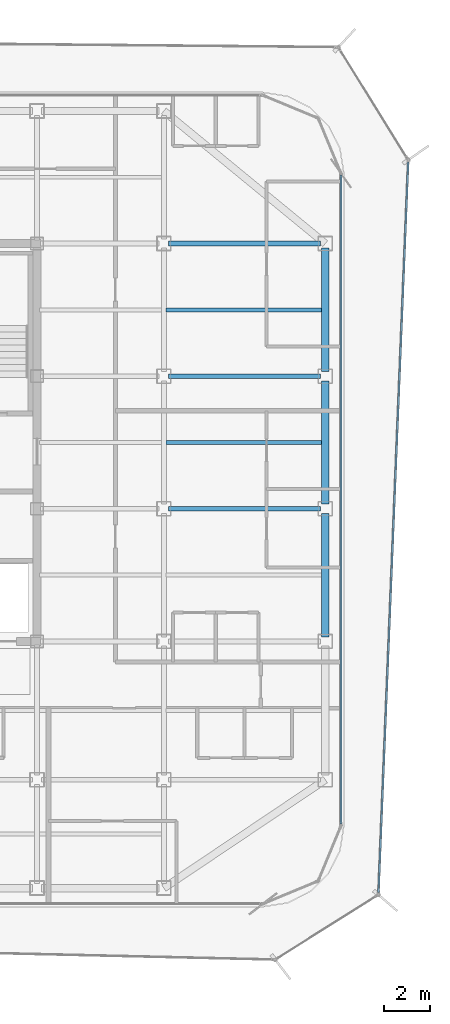
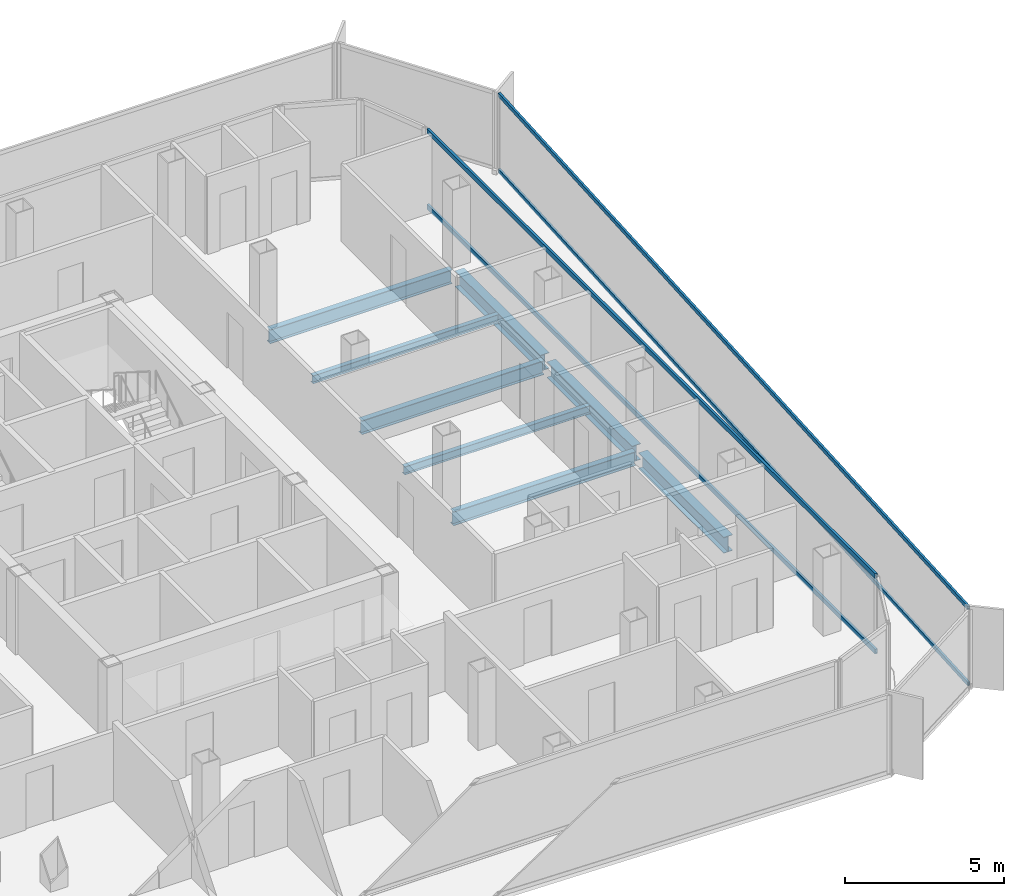
# One storey, part 5 of 15: 8 beams, 4 members, 2 elements without a shape of their own.
"""IFC4 building model written with IfcOpenShell, lengths in metres."""

from ifc_helpers import new_model, si_unit, direction, frame, origin, origin_2d, place, context, subcontext, project, spatial, hollow_rectangle, i_section, extrude, source, transform, mapped, material, layer, layer_set, material_profile, profile_set, type_object, element, aggregate, save


model = new_model("IFC4")

# Units and contexts
model_context = context("Model", 3, precision=1e-05, world=origin(), true_north=direction((0.0, 1.0)))
body_context = subcontext(model_context, "Body", "Model", "MODEL_VIEW")
ifc_project = project(units=[si_unit("LENGTHUNIT", "METRE"), si_unit("AREAUNIT", "SQUARE_METRE"), si_unit("VOLUMEUNIT", "CUBIC_METRE"), si_unit("PLANEANGLEUNIT", "RADIAN"), si_unit("MASSUNIT", "GRAM", prefix="KILO")], contexts=[model_context])

# Site, building, storey
site_placement = place(None, origin())
site = spatial("IfcSite", under=ifc_project, at=site_placement, CompositionType="ELEMENT")
building_placement = place(site_placement, origin())
building = spatial("IfcBuilding", under=site, at=building_placement, Name="Kolveth Station Tower", CompositionType="ELEMENT")
storey_placement = place(building_placement, frame((0.0, 0.0, 255.300048828125)))
storey = spatial("IfcBuildingStorey", under=building, at=storey_placement, Name="L73", CompositionType="ELEMENT", Elevation=255.300048828125)

# Beams
ifc_material_1 = material(Name="Steel S355", Category="steel")
ifc_material_profile_1 = material_profile(ifc_material_1, i_section(OverallWidth=0.323974609375, OverallDepth=0.611083984375, WebThickness=0.0126953125, FlangeThickness=0.01904296875, at=origin_2d()), Name="W610x155")
ifc_profile_set_1 = profile_set([ifc_material_profile_1], Name="Steel S355")
beam_type_1 = type_object("IfcBeamType", Name="Beam_SP2", PredefinedType="SPANDREL", material=ifc_profile_set_1)
shared_shape_1 = source(origin(), body_context, "Body", "SweptSolid", [
    extrude(i_section(OverallWidth=0.323974609375, OverallDepth=0.611083984375, WebThickness=0.0126953125, FlangeThickness=0.01904296875, at=origin_2d()), origin(), (0.0, 0.0, 1.0), 5.35009765625),
])
for number, where, z_axis, x_axis, name in (
    (1, (41.0, 11.699951171875, -0.525634765625), (0.0, 1.0, 0.0), (-1.0, 0.0, 0.0), "L73 Perimeter Spandrel BM-L73-PE-2"),
    (2, (41.0, 17.449951171875, -0.525634765625), (0.0, 1.0, 0.0), (-1.0, 0.0, 0.0), "L73 Perimeter Spandrel BM-L73-PE-3"),
    (3, (41.0, 23.199951171875, -0.525634765625), (0.0, 1.0, 0.0), (-1.0, 0.0, 0.0), "L73 Perimeter Spandrel BM-L73-PE-4"),
):
    element("IfcBeam", number, at=place(storey_placement, frame(where, z_axis=z_axis, x_axis=x_axis)), inside=storey, type_object=beam_type_1, Name=name, PredefinedType="SPANDREL", context=body_context, shape_type="MappedRepresentation", body=[
        mapped(shared_shape_1, transform((0.0, 0.0, 0.0), x_axis=(1.0, 0.0, 0.0), y_axis=(0.0, 1.0, 0.0), z_axis=(0.0, 0.0, 1.0), scale=1.0)),
    ])
ifc_material_profile_2 = material_profile(ifc_material_1, i_section(OverallWidth=0.2099609375, OverallDepth=0.537109375, WebThickness=0.010986328125, FlangeThickness=0.017333984375, at=origin_2d()), Name="W530x101")
ifc_profile_set_2 = profile_set([ifc_material_profile_2], Name="Steel S355")
beam_type_2 = type_object("IfcBeamType", Name="Beam_B6", PredefinedType="BEAM", material=ifc_profile_set_2)
shared_shape_2 = source(origin(), body_context, "Body", "SweptSolid", [
    extrude(i_section(OverallWidth=0.2099609375, OverallDepth=0.537109375, WebThickness=0.010986328125, FlangeThickness=0.017333984375, at=origin_2d()), origin(), (0.0, 0.0, 1.0), 6.60009765625),
])
for number, where, z_axis, x_axis, name in (
    (4, (34.199951171875, 17.25, -0.488525390625), (1.0, 0.0, 0.0), (0.0, 1.0, 0.0), "L73 Primary Girder BM-L73-GY172-5"),
    (5, (34.199951171875, 23.0, -0.488525390625), (1.0, 0.0, 0.0), (0.0, 1.0, 0.0), "L73 Primary Girder BM-L73-GY230-5"),
    (6, (34.199951171875, 28.75, -0.488525390625), (1.0, 0.0, 0.0), (0.0, 1.0, 0.0), "L73 Primary Girder BM-L73-GY287-5"),
):
    element("IfcBeam", number, at=place(storey_placement, frame(where, z_axis=z_axis, x_axis=x_axis)), inside=storey, type_object=beam_type_2, Name=name, PredefinedType="BEAM", context=body_context, shape_type="MappedRepresentation", body=[
        mapped(shared_shape_2, transform((0.0, 0.0, 0.0), x_axis=(1.0, 0.0, 0.0), y_axis=(0.0, 1.0, 0.0), z_axis=(0.0, 0.0, 1.0), scale=1.0)),
    ])
ifc_material_profile_3 = material_profile(ifc_material_1, i_section(OverallWidth=0.1650390625, OverallDepth=0.31005859375, WebThickness=0.005859375, FlangeThickness=0.009765625, at=origin_2d()), Name="W310x39")
ifc_profile_set_3 = profile_set([ifc_material_profile_3], Name="Steel S355")
beam_type_3 = type_object("IfcBeamType", Name="Beam_J3", PredefinedType="JOIST", material=ifc_profile_set_3)
shared_shape_3 = source(origin(), body_context, "Body", "SweptSolid", [
    extrude(i_section(OverallWidth=0.1650390625, OverallDepth=0.31005859375, WebThickness=0.005859375, FlangeThickness=0.009765625, at=origin_2d()), origin(), (0.0, 0.0, 1.0), 6.737060546875),
])
for number, where, z_axis, x_axis, name in (
    (7, (34.10302734375, 20.125, -0.375), (1.0, 0.0, 0.0), (0.0, 1.0, 0.0), "L73 Secondary Joist JST-L73-5-4"),
    (8, (34.10302734375, 25.875, -0.375), (1.0, 0.0, 0.0), (0.0, 1.0, 0.0), "L73 Secondary Joist JST-L73-5-5"),
):
    element("IfcBeam", number, at=place(storey_placement, frame(where, z_axis=z_axis, x_axis=x_axis)), inside=storey, type_object=beam_type_3, Name=name, PredefinedType="JOIST", context=body_context, shape_type="MappedRepresentation", body=[
        mapped(shared_shape_3, transform((0.0, 0.0, 0.0), x_axis=(1.0, 0.0, 0.0), y_axis=(0.0, 1.0, 0.0), z_axis=(0.0, 0.0, 1.0), scale=1.0)),
    ])

# Curtain wall, members
ifc_material_2 = material(Name="Aluminium 6063-T6 and triple low-E dark glass", Category="aluminium")
ifc_layer_1 = layer(ifc_material_2, 0.199951171875)
ifc_layer_set_1 = layer_set([ifc_layer_1], Name="Aluminium 6063-T6 and triple low-E dark glass")
curtain_wall_type_1 = type_object("IfcCurtainWallType", Name="CurtainWall_CW-Z3", PredefinedType="NOTDEFINED", material=ifc_layer_set_1)
curtain_wall_1_placement = place(storey_placement, origin())
curtain_wall_1 = element("IfcCurtainWall", 9, at=curtain_wall_1_placement, inside=storey, type_object=curtain_wall_type_1, Name="L73 Inner Thermal Curtain Wall 3", PredefinedType="NOTDEFINED")
ifc_material_3 = material(Name="Black anodized aluminium 6063-T6", Category="aluminium")
ifc_material_profile_4 = material_profile(ifc_material_3, hollow_rectangle(XDim=0.0849609375, YDim=0.179931640625, WallThickness=0.0048828125, at=origin_2d()), Name="ALU-85x180x5")
ifc_profile_set_4 = profile_set([ifc_material_profile_4], Name="Black anodized aluminium 6063-T6")
member_type_1 = type_object("IfcMemberType", Name="Transom_TR3", PredefinedType="USERDEFINED", material=ifc_profile_set_4)
shared_shape_4 = source(origin(), body_context, "Body", "SweptSolid", [
    extrude(hollow_rectangle(XDim=0.0849609375, YDim=0.179931640625, WallThickness=0.0048828125, at=origin_2d()), origin(), (0.0, 0.0, 1.0), 28.130126953125),
])
member_1_placement = place(storey_placement, frame((41.679931640625, 3.5849609375, 0.04248046875), z_axis=(0.0, 1.0, 0.0), x_axis=(-1.0, 0.0, 0.0)))
member_1 = element("IfcMember", 10, at=member_1_placement, type_object=member_type_1, Name="CW-Z3 transom 1.1", ObjectType="TRANSOM", PredefinedType="USERDEFINED", context=body_context, shape_type="MappedRepresentation", body=[
    mapped(shared_shape_4, transform((0.0, 0.0, 0.0), x_axis=(1.0, 0.0, 0.0), y_axis=(0.0, 1.0, 0.0), z_axis=(0.0, 0.0, 1.0), scale=1.0)),
])
member_2_placement = place(storey_placement, frame((41.679931640625, 3.5849609375, 2.9375), z_axis=(0.0, 1.0, 0.0), x_axis=(-1.0, 0.0, 0.0)))
member_2 = element("IfcMember", 11, at=member_2_placement, type_object=member_type_1, Name="CW-Z3 transom 1.2", ObjectType="TRANSOM", PredefinedType="USERDEFINED", context=body_context, shape_type="MappedRepresentation", body=[
    mapped(shared_shape_4, transform((0.0, 0.0, 0.0), x_axis=(1.0, 0.0, 0.0), y_axis=(0.0, 1.0, 0.0), z_axis=(0.0, 0.0, 1.0), scale=1.0)),
])
aggregate(curtain_wall_1, [member_1, member_2])

ifc_material_4 = material(Name="Black anodized aluminium 6063-T6 and dark solar glass", Category="aluminium")
ifc_layer_2 = layer(ifc_material_4, 0.159912109375)
ifc_layer_set_2 = layer_set([ifc_layer_2], Name="Black anodized aluminium 6063-T6 and dark solar glass")
curtain_wall_type_2 = type_object("IfcCurtainWallType", Name="OUTER SKIN CW-OS", PredefinedType="NOTDEFINED", material=ifc_layer_set_2)
curtain_wall_2_placement = place(storey_placement, origin())
curtain_wall_2 = element("IfcCurtainWall", 12, at=curtain_wall_2_placement, inside=storey, type_object=curtain_wall_type_2, Name="L73 Outer Ventilated Skin Curtain Wall 2", PredefinedType="NOTDEFINED")
ifc_material_profile_5 = material_profile(ifc_material_3, hollow_rectangle(XDim=0.080078125, YDim=0.14990234375, WallThickness=0.0048828125, at=origin_2d()), Name="ALU-80x150x5")
ifc_profile_set_5 = profile_set([ifc_material_profile_5], Name="Black anodized aluminium 6063-T6")
member_type_2 = type_object("IfcMemberType", Name="Transom_TR-OS", PredefinedType="USERDEFINED", material=ifc_profile_set_5)
shared_shape_5 = source(origin(), body_context, "Body", "SweptSolid", [
    extrude(hollow_rectangle(XDim=0.080078125, YDim=0.14990234375, WallThickness=0.0048828125, at=origin_2d()), origin(), (0.0, 0.0, 1.0), 31.712158203125),
])
member_3_placement = place(storey_placement, frame((43.309326171875, 0.601806640625, 0.0400390625), z_axis=(0.040617986348, 0.999174749073, 0.0), x_axis=(-0.999174749073, 0.040617986348, 0.0)))
member_3 = element("IfcMember", 13, at=member_3_placement, type_object=member_type_2, Name="CW-OS transom 1.1", ObjectType="TRANSOM", PredefinedType="USERDEFINED", context=body_context, shape_type="MappedRepresentation", body=[
    mapped(shared_shape_5, transform((0.0, 0.0, 0.0), x_axis=(1.0, 0.0, 0.0), y_axis=(0.0, 1.0, 0.0), z_axis=(0.0, 0.0, 1.0), scale=1.0)),
])
member_4_placement = place(storey_placement, frame((43.309326171875, 0.601806640625, 2.949951171875), z_axis=(0.040617986348, 0.999174749073, 0.0), x_axis=(-0.999174749073, 0.040617986348, 0.0)))
member_4 = element("IfcMember", 14, at=member_4_placement, type_object=member_type_2, Name="CW-OS transom 1.2", ObjectType="TRANSOM", PredefinedType="USERDEFINED", context=body_context, shape_type="MappedRepresentation", body=[
    mapped(shared_shape_5, transform((0.0, 0.0, 0.0), x_axis=(1.0, 0.0, 0.0), y_axis=(0.0, 1.0, 0.0), z_axis=(0.0, 0.0, 1.0), scale=1.0)),
])
aggregate(curtain_wall_2, [member_3, member_4])

save(model, "model.ifc")
